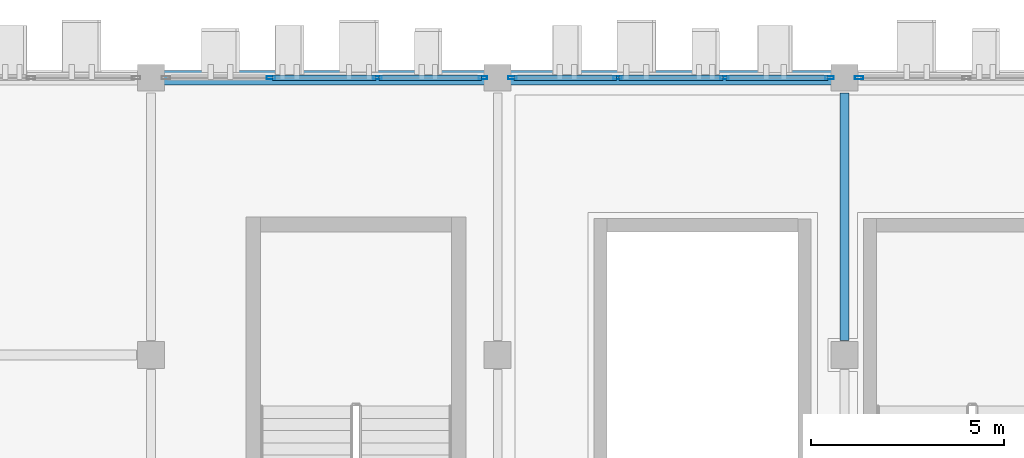
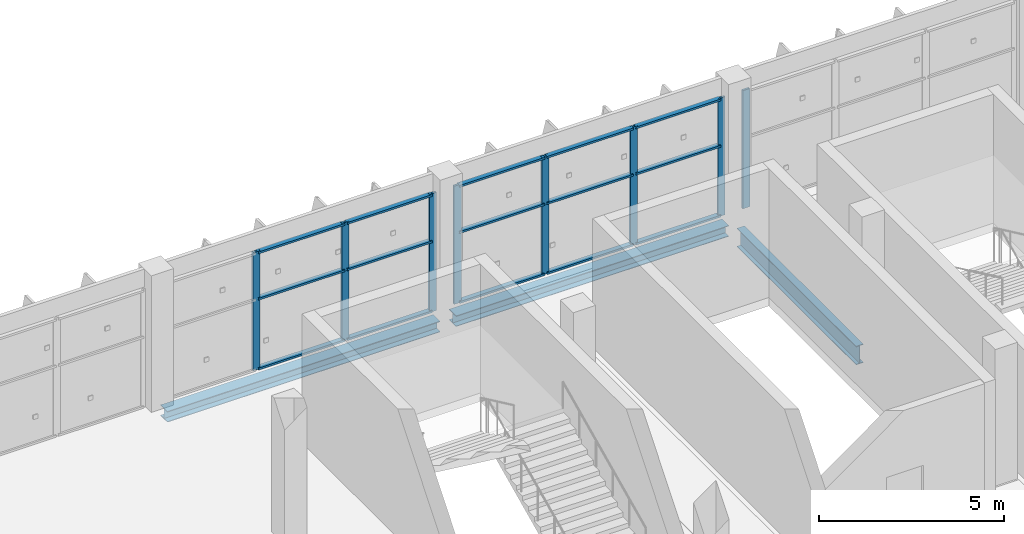
# One storey, part 79 of 151: 23 members, 3 beams, 3 elements without a shape of their own.
"""IFC4 building model written with IfcOpenShell, lengths in metres."""

import ifcopenshell
import ifcopenshell.guid

model = None  # the IFC model being written
_history = None  # IfcOwnerHistory: only IFC2X3 demands one
_inside = {}  # id of a spatial element -> (the spatial element, [elements in it])
_under = {}  # id of a project, library or spatial element -> (it, [spatial elements below it])
_declared = {}  # id of a project -> (the project, [libraries it declares])
_typed = {}  # id of a type object -> (the type object, [elements of that type])
_made_of = {}  # id of a material, layer set ... -> (it, [elements and type objects made of it])


def new_model(schema):
    """Start an empty IFC model of exactly this schema.

    Asked for "IFC4X3", IfcOpenShell would pick the latest addendum, in which some entities
    have other attributes; the version numbers below select the first issue.
    IFC2X3 requires an IfcOwnerHistory on every rooted entity: one is made here for all.
    """
    global model, _history
    if schema == "IFC4X3":
        model = ifcopenshell.file(schema_version=(4, 3, 0, 0))
    else:
        model = ifcopenshell.file(schema=schema)
    _inside.clear()
    _under.clear()
    _declared.clear()
    _typed.clear()
    _made_of.clear()
    _history = None
    if model.schema == "IFC2X3":
        org = make("IfcOrganization", Name="unknown")
        user = make(
            "IfcPersonAndOrganization",
            ThePerson=make("IfcPerson", FamilyName="unknown"),
            TheOrganization=org,
        )
        app = make(
            "IfcApplication",
            ApplicationDeveloper=org,
            Version="unknown",
            ApplicationFullName="unknown",
            ApplicationIdentifier="unknown",
        )
        _history = make(
            "IfcOwnerHistory",
            OwningUser=user,
            OwningApplication=app,
            ChangeAction="ADDED",
            CreationDate=0,
        )
    return model


def make(cls, **values):
    """One entity of the class cls with the attributes given. An attribute that is None is left unset."""
    return model.create_entity(
        cls, **{name: value for name, value in values.items() if value is not None}
    )


def rooted(cls, **values):
    """An entity with a GlobalId (a new one), such as an element, a storey or a relation."""
    return make(cls, GlobalId=ifcopenshell.guid.new(), OwnerHistory=_history, **values)


def si_unit(unit_type, name, prefix=None):
    """IfcSIUnit, for example si_unit("LENGTHUNIT", "METRE", prefix="MILLI")."""
    return make("IfcSIUnit", UnitType=unit_type, Prefix=prefix, Name=name)


def assignment(units):
    """IfcUnitAssignment: the units of a project."""
    return None if units is None else make("IfcUnitAssignment", Units=units)


def point(xyz):
    """IfcCartesianPoint."""
    return None if xyz is None else make("IfcCartesianPoint", Coordinates=xyz)


def direction(xyz):
    """IfcDirection."""
    return None if xyz is None else make("IfcDirection", DirectionRatios=xyz)


def frame(location, z_axis=None, x_axis=None):
    """IfcAxis2Placement3D, a coordinate frame: its origin and axes. An axis left out is left unset."""
    return make(
        "IfcAxis2Placement3D",
        Location=point(location),
        Axis=direction(z_axis),
        RefDirection=direction(x_axis),
    )


def frame_2d(location, x_axis=None):
    """IfcAxis2Placement2D, a coordinate frame in the plane: its origin and x axis."""
    return make(
        "IfcAxis2Placement2D", Location=point(location), RefDirection=direction(x_axis)
    )


def origin():
    """The frame at (0, 0, 0) with its axes left unset."""
    return frame((0.0, 0.0, 0.0))


def origin_2d():
    """The frame at (0, 0) in the plane with its x axis left unset."""
    return frame_2d((0.0, 0.0))


def place(relative_to, where):
    """IfcLocalPlacement: puts the frame where relative to a parent placement (None: the world)."""
    return make(
        "IfcLocalPlacement", PlacementRelTo=relative_to, RelativePlacement=where
    )


def context(
    kind, dimensions, precision=None, world=None, true_north=None, identifier=None
):
    """IfcGeometricRepresentationContext, for example the 3D "Model" context."""
    return make(
        "IfcGeometricRepresentationContext",
        ContextIdentifier=identifier,
        ContextType=kind,
        CoordinateSpaceDimension=dimensions,
        Precision=precision,
        WorldCoordinateSystem=world,
        TrueNorth=true_north,
    )


def subcontext(parent, identifier, kind, view, scale=None):
    """IfcGeometricRepresentationSubContext, for example "Body" below "Model"."""
    return make(
        "IfcGeometricRepresentationSubContext",
        ContextIdentifier=identifier,
        ContextType=kind,
        ParentContext=parent,
        TargetScale=scale,
        TargetView=view,
    )


def project(units=None, contexts=None):
    """IfcProject with its units and contexts."""
    return rooted(
        "IfcProject",
        Name="project",
        RepresentationContexts=contexts,
        UnitsInContext=assignment(units),
    )


def spatial(cls, under=None, at=None, **own):
    """A site, building, storey or space (cls), placed at a placement, below another one or the project."""
    s = rooted(cls, ObjectPlacement=at, **own)
    if under is not None:
        _under.setdefault(under.id(), (under, []))[1].append(s)
    return s


def profile(cls, at=None, kind="AREA", **sizes):
    """A parametric profile (cls). Its sizes go by their IFC names, for example OverallWidth=200.0."""
    return make(cls, ProfileType=kind, Position=at, **sizes)


def hollow_rectangle(**sizes):
    """IfcRectangleHollowProfileDef."""
    return profile("IfcRectangleHollowProfileDef", **sizes)


def i_section(**sizes):
    """IfcIShapeProfileDef."""
    return profile("IfcIShapeProfileDef", **sizes)


def extrude(swept, where, along, depth):
    """IfcExtrudedAreaSolid: the profile swept, set in the frame where, extruded along a direction by depth."""
    return make(
        "IfcExtrudedAreaSolid",
        SweptArea=swept,
        Position=where,
        ExtrudedDirection=direction(along),
        Depth=depth,
    )


def shape(context_of_items, identifier, shape_type, items):
    """IfcShapeRepresentation: the items that make up one representation, for example the "Body"."""
    return make(
        "IfcShapeRepresentation",
        ContextOfItems=context_of_items,
        RepresentationIdentifier=identifier,
        RepresentationType=shape_type,
        Items=items,
    )


def material(Name=None, Category=None):
    """IfcMaterial."""
    return make("IfcMaterial", Name=Name, Category=Category)


def layer(
    of_material, thickness, ventilated=None, Name=None, Category=None, Priority=None
):
    """IfcMaterialLayer: one layer of a wall or slab, of a material (None: an air gap)."""
    return make(
        "IfcMaterialLayer",
        Material=of_material,
        LayerThickness=thickness,
        IsVentilated=ventilated,
        Name=Name,
        Category=Category,
        Priority=Priority,
    )


def layer_set(layers, Name=None):
    """IfcMaterialLayerSet."""
    return make("IfcMaterialLayerSet", MaterialLayers=layers, LayerSetName=Name)


def material_profile(
    of_material, cross_section, Name=None, Category=None, Priority=None
):
    """IfcMaterialProfile: a cross section and its material."""
    return make(
        "IfcMaterialProfile",
        Name=Name,
        Material=of_material,
        Profile=cross_section,
        Priority=Priority,
        Category=Category,
    )


def profile_set(profiles, Name=None, composite=None):
    """IfcMaterialProfileSet."""
    return make(
        "IfcMaterialProfileSet",
        Name=Name,
        MaterialProfiles=profiles,
        CompositeProfile=composite,
    )


def made_of(thing, what):
    """Note that an element or type object is made of a material, layer set ...; save() writes the relation."""
    if what is not None:
        _made_of.setdefault(what.id(), (what, []))[1].append(thing)
    return thing


def type_object(cls, material=None, **own):
    """A type object (cls), such as IfcWallType, which elements share."""
    return made_of(rooted(cls, **own), material)


def element(
    cls,
    number,
    at=None,
    inside=None,
    cuts=None,
    type_object=None,
    material=None,
    context=None,
    identifier="Body",
    shape_type=None,
    held_by="IfcProductDefinitionShape",
    body=None,
    shapes=None,
    **own,
):
    """One element of the class cls, such as IfcWall. Its Tag is "e" and its number.

    at: its placement. inside: the storey or other place that contains it. cuts: it is an
    opening in that element (IfcRelVoidsElement). A single representation is given by context,
    identifier, shape_type and body (its items); several are given by shapes. held_by: the class
    of the entity that holds the representations. save() writes the other relations.
    """
    e = rooted(cls, Tag="e%d" % number, ObjectPlacement=at, **own)
    if body is not None:
        shapes = [shape(context, identifier, shape_type, body)]
    if shapes is not None:
        e.Representation = make(held_by, Representations=shapes)
    if inside is not None:
        _inside.setdefault(inside.id(), (inside, []))[1].append(e)
    if cuts is not None:
        rooted(
            "IfcRelVoidsElement", RelatingBuildingElement=cuts, RelatedOpeningElement=e
        )
    if type_object is not None:
        _typed.setdefault(type_object.id(), (type_object, []))[1].append(e)
    return made_of(e, material)


def aggregate(whole, parts):
    """IfcRelAggregates: a whole, such as a stair, and the parts it consists of."""
    return rooted("IfcRelAggregates", RelatingObject=whole, RelatedObjects=parts)


def save(model, path):
    """Write the relations noted so far, then the file.

    IfcRelAggregates (storeys below a building ...), IfcRelContainedInSpatialStructure (elements
    in a storey), IfcRelDefinesByType, IfcRelAssociatesMaterial and IfcRelDeclares: one each for
    every whole, place, type object, material and project.
    """
    for whole, parts in _under.values():
        aggregate(whole, parts)
    for where, things in _inside.values():
        rooted(
            "IfcRelContainedInSpatialStructure",
            RelatedElements=things,
            RelatingStructure=where,
        )
    for kind, things in _typed.values():
        rooted("IfcRelDefinesByType", RelatedObjects=things, RelatingType=kind)
    for what, things in _made_of.values():
        rooted("IfcRelAssociatesMaterial", RelatedObjects=things, RelatingMaterial=what)
    for by, libraries in _declared.values():
        rooted("IfcRelDeclares", RelatingContext=by, RelatedDefinitions=libraries)
    model.write(path)


model = new_model("IFC4")

# Units and contexts
model_context = context("Model", 3, precision=1e-05, world=origin(), true_north=direction((0.0, 1.0)))
body_context = subcontext(model_context, "Body", "Model", "MODEL_VIEW")
ifc_project = project(units=[si_unit("LENGTHUNIT", "METRE"), si_unit("AREAUNIT", "SQUARE_METRE"), si_unit("VOLUMEUNIT", "CUBIC_METRE"), si_unit("PLANEANGLEUNIT", "RADIAN"), si_unit("MASSUNIT", "GRAM", prefix="KILO")], contexts=[model_context])

# Site, building, storey
site_placement = place(None, origin())
site = spatial("IfcSite", under=ifc_project, at=site_placement, CompositionType="ELEMENT")
building_placement = place(site_placement, origin())
building = spatial("IfcBuilding", under=site, at=building_placement, Name="Celestram Park Convention Centre", CompositionType="ELEMENT")
storey_placement = place(building_placement, frame((0.0, 0.0, 10.800048828125)))
storey = spatial("IfcBuildingStorey", under=building, at=storey_placement, Name="L02", CompositionType="ELEMENT", Elevation=10.800048828125)

# Curtain wall, members
ifc_material_1 = material(Name="Anodised Aluminium Alloy 6063-T6", Category="aluminium")
ifc_layer_1 = layer(ifc_material_1, 0.179931640625)
ifc_layer_set_1 = layer_set([ifc_layer_1], Name="Anodised Aluminium Alloy 6063-T6")
curtain_wall_type_1 = type_object("IfcCurtainWallType", Name="ARC-CW-830X389", PredefinedType="NOTDEFINED", material=ifc_layer_set_1)
curtain_wall_1_placement = place(storey_placement, origin())
curtain_wall_1 = element("IfcCurtainWall", 1, at=curtain_wall_1_placement, inside=storey, type_object=curtain_wall_type_1, Name="Unitised curtain wall CU-L02-160", PredefinedType="NOTDEFINED")
ifc_material_profile_1 = material_profile(ifc_material_1, hollow_rectangle(XDim=0.074951171875, YDim=0.219970703125, WallThickness=0.00390625, at=origin_2d()), Name="ALU75X220X4")
ifc_profile_set_1 = profile_set([ifc_material_profile_1], Name="Anodised Aluminium Alloy 6063-T6")
member_type_1 = type_object("IfcMemberType", Name="ARC-CWM-180", PredefinedType="MULLION", material=ifc_profile_set_1)
member_1_placement = place(storey_placement, frame((129.115966796875, 165.60009765625, 0.0), z_axis=(0.0, 0.0, 1.0), x_axis=(0.0, 1.0, 0.0)))
member_1 = element("IfcMember", 2, at=member_1_placement, type_object=member_type_1, Name="CW-83X38 mullion 2", PredefinedType="MULLION", context=body_context, shape_type="SweptSolid", body=[
    extrude(hollow_rectangle(XDim=0.074951171875, YDim=0.219970703125, WallThickness=0.00390625, at=origin_2d()), origin(), (0.0, 0.0, 1.0), 3.89404296875),
])
member_2_placement = place(storey_placement, frame((131.884033203125, 165.60009765625, 0.0), z_axis=(0.0, 0.0, 1.0), x_axis=(0.0, 1.0, 0.0)))
member_2 = element("IfcMember", 3, at=member_2_placement, type_object=member_type_1, Name="CW-83X38 mullion 3", PredefinedType="MULLION", context=body_context, shape_type="SweptSolid", body=[
    extrude(hollow_rectangle(XDim=0.074951171875, YDim=0.219970703125, WallThickness=0.00390625, at=origin_2d()), origin(), (0.0, 0.0, 1.0), 3.89404296875),
])
member_3_placement = place(storey_placement, frame((134.614501953125, 165.60009765625, 0.0), z_axis=(0.0, 0.0, 1.0), x_axis=(0.0, 1.0, 0.0)))
member_3 = element("IfcMember", 4, at=member_3_placement, type_object=member_type_1, Name="CW-83X38 mullion 4", PredefinedType="MULLION", context=body_context, shape_type="SweptSolid", body=[
    extrude(hollow_rectangle(XDim=0.074951171875, YDim=0.219970703125, WallThickness=0.00390625, at=origin_2d()), origin(), (0.0, 0.0, 1.0), 3.89404296875),
])

curtain_wall_2_placement = place(storey_placement, origin())
curtain_wall_2 = element("IfcCurtainWall", 5, at=curtain_wall_2_placement, inside=storey, type_object=curtain_wall_type_1, Name="Unitised curtain wall CU-L02-161", PredefinedType="NOTDEFINED")
member_4_placement = place(storey_placement, frame((135.385498046875, 165.60009765625, 0.0), z_axis=(0.0, 0.0, 1.0), x_axis=(0.0, 1.0, 0.0)))
member_4 = element("IfcMember", 6, at=member_4_placement, type_object=member_type_1, Name="CW-83X38 mullion 1", PredefinedType="MULLION", context=body_context, shape_type="SweptSolid", body=[
    extrude(hollow_rectangle(XDim=0.074951171875, YDim=0.219970703125, WallThickness=0.00390625, at=origin_2d()), origin(), (0.0, 0.0, 1.0), 3.89404296875),
])
member_5_placement = place(storey_placement, frame((138.115966796875, 165.60009765625, 0.0), z_axis=(0.0, 0.0, 1.0), x_axis=(0.0, 1.0, 0.0)))
member_5 = element("IfcMember", 7, at=member_5_placement, type_object=member_type_1, Name="CW-83X38 mullion 2", PredefinedType="MULLION", context=body_context, shape_type="SweptSolid", body=[
    extrude(hollow_rectangle(XDim=0.074951171875, YDim=0.219970703125, WallThickness=0.00390625, at=origin_2d()), origin(), (0.0, 0.0, 1.0), 3.89404296875),
])
member_6_placement = place(storey_placement, frame((140.884033203125, 165.60009765625, 0.0), z_axis=(0.0, 0.0, 1.0), x_axis=(0.0, 1.0, 0.0)))
member_6 = element("IfcMember", 8, at=member_6_placement, type_object=member_type_1, Name="CW-83X38 mullion 3", PredefinedType="MULLION", context=body_context, shape_type="SweptSolid", body=[
    extrude(hollow_rectangle(XDim=0.074951171875, YDim=0.219970703125, WallThickness=0.00390625, at=origin_2d()), origin(), (0.0, 0.0, 1.0), 3.89404296875),
])
member_7_placement = place(storey_placement, frame((143.614501953125, 165.60009765625, 0.0), z_axis=(0.0, 0.0, 1.0), x_axis=(0.0, 1.0, 0.0)))
member_7 = element("IfcMember", 9, at=member_7_placement, type_object=member_type_1, Name="CW-83X38 mullion 4", PredefinedType="MULLION", context=body_context, shape_type="SweptSolid", body=[
    extrude(hollow_rectangle(XDim=0.074951171875, YDim=0.219970703125, WallThickness=0.00390625, at=origin_2d()), origin(), (0.0, 0.0, 1.0), 3.89404296875),
])

# Curtain wall, member
ifc_layer_2 = layer(ifc_material_1, 0.179931640625)
ifc_layer_set_2 = layer_set([ifc_layer_2], Name="Anodised Aluminium Alloy 6063-T6")
curtain_wall_type_2 = type_object("IfcCurtainWallType", Name="ARC-CW-845X389", PredefinedType="NOTDEFINED", material=ifc_layer_set_2)
curtain_wall_3_placement = place(storey_placement, origin())
curtain_wall_3 = element("IfcCurtainWall", 10, at=curtain_wall_3_placement, inside=storey, type_object=curtain_wall_type_2, Name="Unitised curtain wall CU-L02-162", PredefinedType="NOTDEFINED")
member_8_placement = place(storey_placement, frame((144.385498046875, 165.60009765625, 0.0), z_axis=(0.0, 0.0, 1.0), x_axis=(0.0, 1.0, 0.0)))
member_8 = element("IfcMember", 11, at=member_8_placement, type_object=member_type_1, Name="CW-84X38 mullion 1", PredefinedType="MULLION", context=body_context, shape_type="SweptSolid", body=[
    extrude(hollow_rectangle(XDim=0.074951171875, YDim=0.219970703125, WallThickness=0.00390625, at=origin_2d()), origin(), (0.0, 0.0, 1.0), 3.89404296875),
])
aggregate(curtain_wall_3, [member_8])

# Member
ifc_material_profile_2 = material_profile(ifc_material_1, hollow_rectangle(XDim=0.14990234375, YDim=0.06494140625, WallThickness=0.0029296875, at=origin_2d()), Name="ALU150X65X3")
ifc_profile_set_2 = profile_set([ifc_material_profile_2], Name="Anodised Aluminium Alloy 6063-T6")
member_type_2 = type_object("IfcMemberType", Name="ARC-CWT-150", PredefinedType="USERDEFINED", material=ifc_profile_set_2)
member_9_placement = place(storey_placement, frame((129.153564453125, 165.60009765625, 0.032470703125), z_axis=(1.0, 0.0, 0.0), x_axis=(0.0, 1.0, 0.0)))
member_9 = element("IfcMember", 12, at=member_9_placement, type_object=member_type_2, Name="CW-83X38 transom 2.1", ObjectType="TRANSOM", PredefinedType="USERDEFINED", context=body_context, shape_type="SweptSolid", body=[
    extrude(hollow_rectangle(XDim=0.14990234375, YDim=0.06494140625, WallThickness=0.0029296875, at=origin_2d()), origin(), (0.0, 0.0, 1.0), 2.69287109375),
])

member_10_placement = place(storey_placement, frame((129.153564453125, 165.60009765625, 2.3359375), z_axis=(1.0, 0.0, 0.0), x_axis=(0.0, 1.0, 0.0)))
member_10 = element("IfcMember", 13, at=member_10_placement, type_object=member_type_2, Name="CW-83X38 transom 2.2", ObjectType="TRANSOM", PredefinedType="USERDEFINED", context=body_context, shape_type="SweptSolid", body=[
    extrude(hollow_rectangle(XDim=0.14990234375, YDim=0.06494140625, WallThickness=0.0029296875, at=origin_2d()), origin(), (0.0, 0.0, 1.0), 2.69287109375),
])

member_11_placement = place(storey_placement, frame((129.153564453125, 165.60009765625, 3.861572265625), z_axis=(1.0, 0.0, 0.0), x_axis=(0.0, 1.0, 0.0)))
member_11 = element("IfcMember", 14, at=member_11_placement, type_object=member_type_2, Name="CW-83X38 transom 2.3", ObjectType="TRANSOM", PredefinedType="USERDEFINED", context=body_context, shape_type="SweptSolid", body=[
    extrude(hollow_rectangle(XDim=0.14990234375, YDim=0.06494140625, WallThickness=0.0029296875, at=origin_2d()), origin(), (0.0, 0.0, 1.0), 2.69287109375),
])

member_12_placement = place(storey_placement, frame((131.92138671875, 165.60009765625, 0.032470703125), z_axis=(1.0, 0.0, 0.0), x_axis=(0.0, 1.0, 0.0)))
member_12 = element("IfcMember", 15, at=member_12_placement, type_object=member_type_2, Name="CW-83X38 transom 3.1", ObjectType="TRANSOM", PredefinedType="USERDEFINED", context=body_context, shape_type="SweptSolid", body=[
    extrude(hollow_rectangle(XDim=0.14990234375, YDim=0.06494140625, WallThickness=0.0029296875, at=origin_2d()), origin(), (0.0, 0.0, 1.0), 2.655517578125),
])

member_13_placement = place(storey_placement, frame((131.92138671875, 165.60009765625, 2.3359375), z_axis=(1.0, 0.0, 0.0), x_axis=(0.0, 1.0, 0.0)))
member_13 = element("IfcMember", 16, at=member_13_placement, type_object=member_type_2, Name="CW-83X38 transom 3.2", ObjectType="TRANSOM", PredefinedType="USERDEFINED", context=body_context, shape_type="SweptSolid", body=[
    extrude(hollow_rectangle(XDim=0.14990234375, YDim=0.06494140625, WallThickness=0.0029296875, at=origin_2d()), origin(), (0.0, 0.0, 1.0), 2.655517578125),
])

member_14_placement = place(storey_placement, frame((131.92138671875, 165.60009765625, 3.861572265625), z_axis=(1.0, 0.0, 0.0), x_axis=(0.0, 1.0, 0.0)))
member_14 = element("IfcMember", 17, at=member_14_placement, type_object=member_type_2, Name="CW-83X38 transom 3.3", ObjectType="TRANSOM", PredefinedType="USERDEFINED", context=body_context, shape_type="SweptSolid", body=[
    extrude(hollow_rectangle(XDim=0.14990234375, YDim=0.06494140625, WallThickness=0.0029296875, at=origin_2d()), origin(), (0.0, 0.0, 1.0), 2.655517578125),
])

aggregate(curtain_wall_1, [member_1, member_2, member_3, member_9, member_10, member_11, member_12, member_13, member_14])

member_15_placement = place(storey_placement, frame((135.423095703125, 165.60009765625, 0.032470703125), z_axis=(1.0, 0.0, 0.0), x_axis=(0.0, 1.0, 0.0)))
member_15 = element("IfcMember", 18, at=member_15_placement, type_object=member_type_2, Name="CW-83X38 transom 1.1", ObjectType="TRANSOM", PredefinedType="USERDEFINED", context=body_context, shape_type="SweptSolid", body=[
    extrude(hollow_rectangle(XDim=0.14990234375, YDim=0.06494140625, WallThickness=0.0029296875, at=origin_2d()), origin(), (0.0, 0.0, 1.0), 2.655517578125),
])

member_16_placement = place(storey_placement, frame((135.423095703125, 165.60009765625, 2.3359375), z_axis=(1.0, 0.0, 0.0), x_axis=(0.0, 1.0, 0.0)))
member_16 = element("IfcMember", 19, at=member_16_placement, type_object=member_type_2, Name="CW-83X38 transom 1.2", ObjectType="TRANSOM", PredefinedType="USERDEFINED", context=body_context, shape_type="SweptSolid", body=[
    extrude(hollow_rectangle(XDim=0.14990234375, YDim=0.06494140625, WallThickness=0.0029296875, at=origin_2d()), origin(), (0.0, 0.0, 1.0), 2.655517578125),
])

member_17_placement = place(storey_placement, frame((135.423095703125, 165.60009765625, 3.861572265625), z_axis=(1.0, 0.0, 0.0), x_axis=(0.0, 1.0, 0.0)))
member_17 = element("IfcMember", 20, at=member_17_placement, type_object=member_type_2, Name="CW-83X38 transom 1.3", ObjectType="TRANSOM", PredefinedType="USERDEFINED", context=body_context, shape_type="SweptSolid", body=[
    extrude(hollow_rectangle(XDim=0.14990234375, YDim=0.06494140625, WallThickness=0.0029296875, at=origin_2d()), origin(), (0.0, 0.0, 1.0), 2.655517578125),
])

member_18_placement = place(storey_placement, frame((138.153564453125, 165.60009765625, 0.032470703125), z_axis=(1.0, 0.0, 0.0), x_axis=(0.0, 1.0, 0.0)))
member_18 = element("IfcMember", 21, at=member_18_placement, type_object=member_type_2, Name="CW-83X38 transom 2.1", ObjectType="TRANSOM", PredefinedType="USERDEFINED", context=body_context, shape_type="SweptSolid", body=[
    extrude(hollow_rectangle(XDim=0.14990234375, YDim=0.06494140625, WallThickness=0.0029296875, at=origin_2d()), origin(), (0.0, 0.0, 1.0), 2.69287109375),
])

member_19_placement = place(storey_placement, frame((138.153564453125, 165.60009765625, 2.3359375), z_axis=(1.0, 0.0, 0.0), x_axis=(0.0, 1.0, 0.0)))
member_19 = element("IfcMember", 22, at=member_19_placement, type_object=member_type_2, Name="CW-83X38 transom 2.2", ObjectType="TRANSOM", PredefinedType="USERDEFINED", context=body_context, shape_type="SweptSolid", body=[
    extrude(hollow_rectangle(XDim=0.14990234375, YDim=0.06494140625, WallThickness=0.0029296875, at=origin_2d()), origin(), (0.0, 0.0, 1.0), 2.69287109375),
])

member_20_placement = place(storey_placement, frame((138.153564453125, 165.60009765625, 3.861572265625), z_axis=(1.0, 0.0, 0.0), x_axis=(0.0, 1.0, 0.0)))
member_20 = element("IfcMember", 23, at=member_20_placement, type_object=member_type_2, Name="CW-83X38 transom 2.3", ObjectType="TRANSOM", PredefinedType="USERDEFINED", context=body_context, shape_type="SweptSolid", body=[
    extrude(hollow_rectangle(XDim=0.14990234375, YDim=0.06494140625, WallThickness=0.0029296875, at=origin_2d()), origin(), (0.0, 0.0, 1.0), 2.69287109375),
])

member_21_placement = place(storey_placement, frame((140.92138671875, 165.60009765625, 0.032470703125), z_axis=(1.0, 0.0, 0.0), x_axis=(0.0, 1.0, 0.0)))
member_21 = element("IfcMember", 24, at=member_21_placement, type_object=member_type_2, Name="CW-83X38 transom 3.1", ObjectType="TRANSOM", PredefinedType="USERDEFINED", context=body_context, shape_type="SweptSolid", body=[
    extrude(hollow_rectangle(XDim=0.14990234375, YDim=0.06494140625, WallThickness=0.0029296875, at=origin_2d()), origin(), (0.0, 0.0, 1.0), 2.655517578125),
])

member_22_placement = place(storey_placement, frame((140.92138671875, 165.60009765625, 2.3359375), z_axis=(1.0, 0.0, 0.0), x_axis=(0.0, 1.0, 0.0)))
member_22 = element("IfcMember", 25, at=member_22_placement, type_object=member_type_2, Name="CW-83X38 transom 3.2", ObjectType="TRANSOM", PredefinedType="USERDEFINED", context=body_context, shape_type="SweptSolid", body=[
    extrude(hollow_rectangle(XDim=0.14990234375, YDim=0.06494140625, WallThickness=0.0029296875, at=origin_2d()), origin(), (0.0, 0.0, 1.0), 2.655517578125),
])

member_23_placement = place(storey_placement, frame((140.92138671875, 165.60009765625, 3.861572265625), z_axis=(1.0, 0.0, 0.0), x_axis=(0.0, 1.0, 0.0)))
member_23 = element("IfcMember", 26, at=member_23_placement, type_object=member_type_2, Name="CW-83X38 transom 3.3", ObjectType="TRANSOM", PredefinedType="USERDEFINED", context=body_context, shape_type="SweptSolid", body=[
    extrude(hollow_rectangle(XDim=0.14990234375, YDim=0.06494140625, WallThickness=0.0029296875, at=origin_2d()), origin(), (0.0, 0.0, 1.0), 2.655517578125),
])

aggregate(curtain_wall_2, [member_4, member_5, member_6, member_7, member_15, member_16, member_17, member_18, member_19, member_20, member_21, member_22, member_23])

# Beams
ifc_material_2 = material(Name="Steel ASTM A992 Grade 50", Category="steel")
ifc_material_profile_3 = material_profile(ifc_material_2, i_section(OverallWidth=0.22900390625, OverallDepth=0.612060546875, WebThickness=0.011962890625, FlangeThickness=0.01953125, at=origin_2d()), Name="W24X84")
ifc_profile_set_3 = profile_set([ifc_material_profile_3], Name="Steel ASTM A992 Grade 50")
beam_type_1 = type_object("IfcBeamType", Name="STR-BM-W24X84", PredefinedType="BEAM", material=ifc_profile_set_3)
beam_placement = place(storey_placement, frame((144.0, 158.77294921875, -0.5859375), z_axis=(0.0, 1.0, 0.0), x_axis=(-1.0, 0.0, 0.0)))
element("IfcBeam", 27, at=beam_placement, inside=storey, type_object=beam_type_1, Name="Primary Y-girder BG-L02-0263", PredefinedType="BEAM", context=body_context, shape_type="SweptSolid", body=[
    extrude(i_section(OverallWidth=0.22900390625, OverallDepth=0.612060546875, WebThickness=0.011962890625, FlangeThickness=0.01953125, at=origin_2d()), origin(), (0.0, 0.0, 1.0), 6.428955078125),
])
ifc_material_profile_4 = material_profile(ifc_material_2, i_section(OverallWidth=0.367919921875, OverallDepth=0.35595703125, WebThickness=0.01123046875, FlangeThickness=0.01806640625, at=origin_2d()), Name="W14X90")
ifc_profile_set_4 = profile_set([ifc_material_profile_4], Name="Steel ASTM A992 Grade 50")
beam_type_2 = type_object("IfcBeamType", Name="STR-SPN-W14X90", PredefinedType="SPANDREL", material=ifc_profile_set_4)
for number, where, z_axis, x_axis, name in (
    (28, (126.248046875, 165.60009765625, -0.4580078125), (1.0, 0.0, 0.0), (0.0, 1.0, 0.0), "Primary X-girder BG-L02-0193"),
    (29, (135.248046875, 165.60009765625, -0.4580078125), (1.0, 0.0, 0.0), (0.0, 1.0, 0.0), "Primary X-girder BG-L02-0232"),
):
    element("IfcBeam", number, at=place(storey_placement, frame(where, z_axis=z_axis, x_axis=x_axis)), inside=storey, type_object=beam_type_2, Name=name, PredefinedType="SPANDREL", context=body_context, shape_type="SweptSolid", body=[
        extrude(i_section(OverallWidth=0.367919921875, OverallDepth=0.35595703125, WebThickness=0.01123046875, FlangeThickness=0.01806640625, at=origin_2d()), origin(), (0.0, 0.0, 1.0), 8.50390625),
    ])

save(model, "model.ifc")
